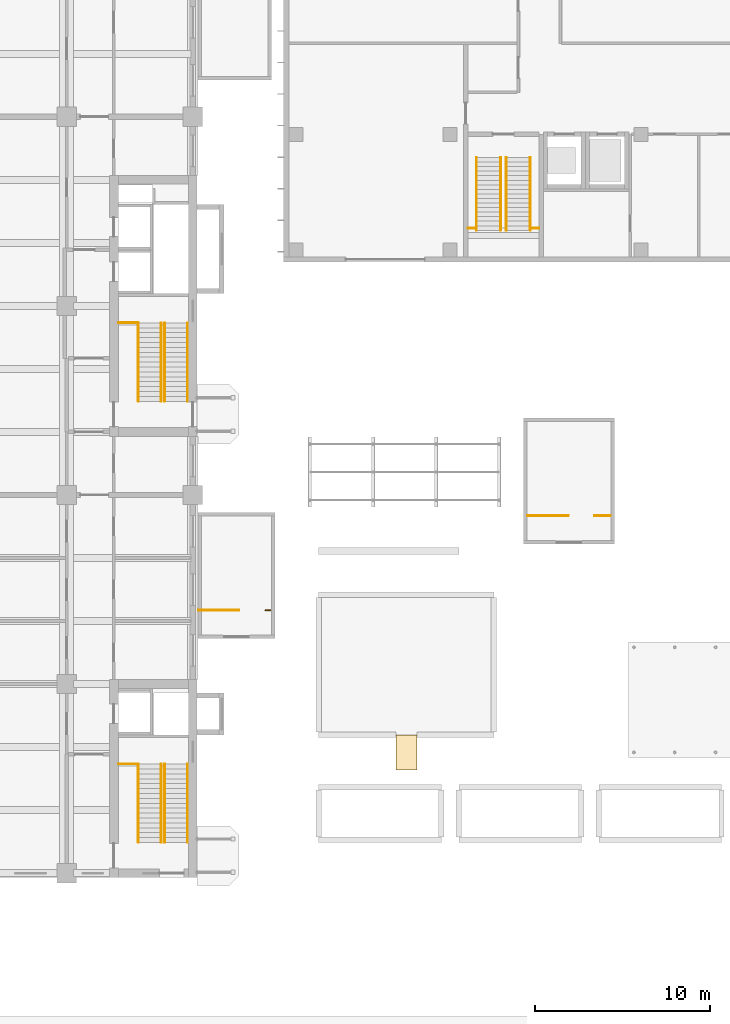
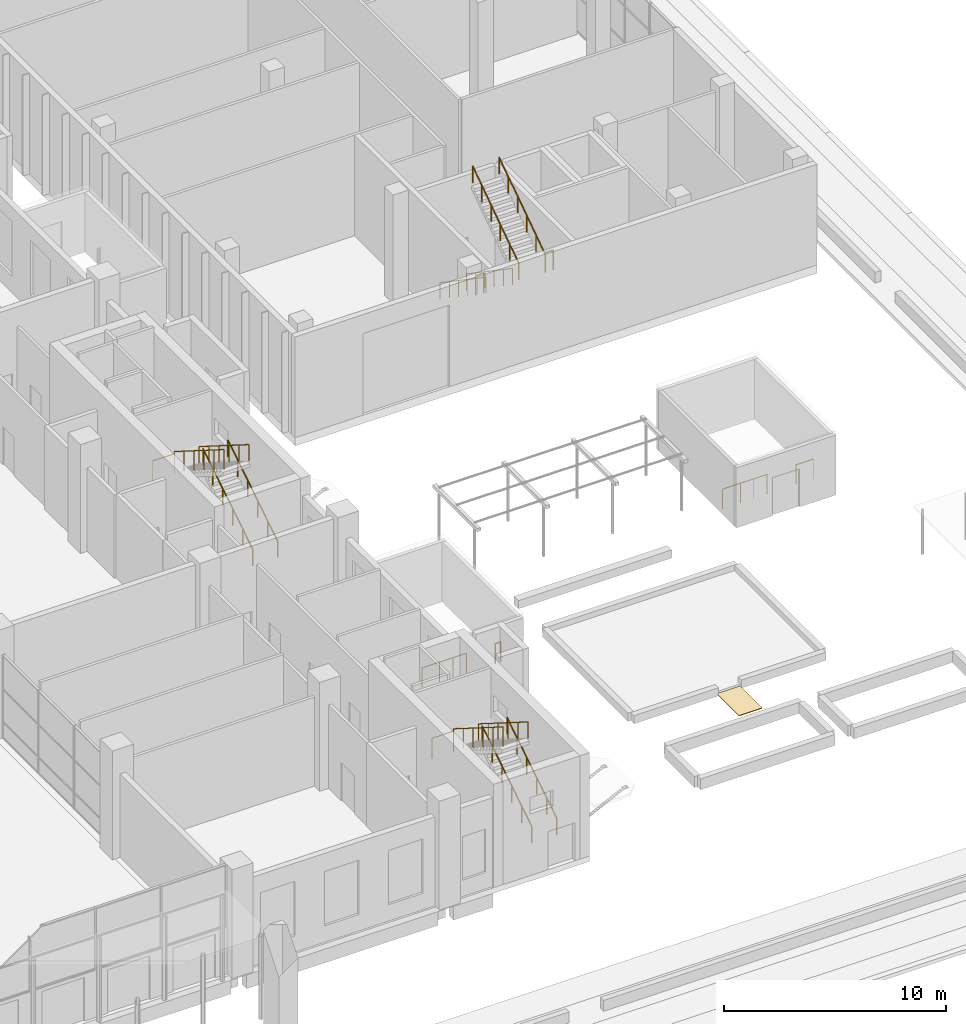
# One storey, part 67 of 71: 22 railings, 1 covering.
"""IFC4 building model written with IfcOpenShell, lengths in metres."""

from ifc_helpers import new_model, si_unit, direction, frame, origin, origin_2d, place, context, subcontext, project, spatial, polyline, circle, outline, extrude, material, layer, layer_set, type_object, element, save


model = new_model("IFC4")

# Units and contexts
model_context = context("Model", 3, precision=1e-05, world=origin(), true_north=direction((0.0, 1.0)))
body_context = subcontext(model_context, "Body", "Model", "MODEL_VIEW")
ifc_project = project(units=[si_unit("LENGTHUNIT", "METRE"), si_unit("AREAUNIT", "SQUARE_METRE"), si_unit("VOLUMEUNIT", "CUBIC_METRE"), si_unit("PLANEANGLEUNIT", "RADIAN"), si_unit("MASSUNIT", "GRAM", prefix="KILO")], contexts=[model_context])

# Site, building, storey
site_placement = place(None, origin())
site = spatial("IfcSite", under=ifc_project, at=site_placement, CompositionType="ELEMENT")
building_placement = place(site_placement, origin())
building = spatial("IfcBuilding", under=site, at=building_placement, Name="Basin Gate Institute", CompositionType="ELEMENT")
storey_placement = place(building_placement, origin())
storey = spatial("IfcBuildingStorey", under=building, at=storey_placement, Name="L00", CompositionType="ELEMENT", Elevation=0.0)

# Railings
ifc_material_1 = material(Name="Stainless steel tube and glass infill", Category="steel")
railing_type_1 = type_object("IfcRailingType", Name="Block railing 1100", PredefinedType="GUARDRAIL", material=ifc_material_1)
for number, where, name in (
    (1, (134.52490234375, 71.93505859375, 3.0), "Guard stair landing ST-C1 L00"),
    (2, (138.14990234375, 71.93505859375, 3.0), "Guard stair landing ST-C1 L00"),
):
    element("IfcRailing", number, at=place(storey_placement, frame(where)), inside=storey, type_object=railing_type_1, material=ifc_material_1, Name=name, PredefinedType="GUARDRAIL", context=body_context, shape_type="SweptSolid", body=[
        extrude(circle(Radius=0.02392578125, at=origin_2d()), frame((0.0, 0.0, 1.076171875), z_axis=(1.0, 0.0, 0.0), x_axis=(0.0, 1.0, 0.0)), (0.0, 0.0, 1.0), 0.425048828125),
        extrude(circle(Radius=0.02099609375, at=origin_2d()), origin(), (0.0, 0.0, 1.0), 1.052001953125),
        extrude(circle(Radius=0.02099609375, at=origin_2d()), frame((0.425048828125, 0.0, 0.0)), (0.0, 0.0, 1.0), 1.052001953125),
    ])
ifc_material_2 = material(Name="Stainless steel tube and glass infill", Category="steel")
railing_type_2 = type_object("IfcRailingType", Name="Block railing 920", PredefinedType="HANDRAIL", material=ifc_material_2)
for number, where, name in (
    (3, (135.010009765625, 75.97509765625, 0.176513671875), "Handrail ST-C1 flight 1"),
    (4, (136.389892578125, 75.97509765625, 0.176513671875), "Handrail ST-C1 flight 1"),
):
    element("IfcRailing", number, at=place(storey_placement, frame(where)), inside=storey, type_object=railing_type_2, material=ifc_material_2, Name=name, PredefinedType="HANDRAIL", context=body_context, shape_type="SweptSolid", body=[
        extrude(circle(Radius=0.02392578125, at=origin_2d()), frame((0.0, 0.0, 0.89599609375), z_axis=(0.0, -0.82742742542, 0.561572662851), x_axis=(1.0, 0.0, 0.0)), (0.0, 0.0, 1.0), 5.02783203125),
        extrude(circle(Radius=0.02099609375, at=origin_2d()), origin(), (0.0, 0.0, 1.0), 0.871826171875),
        extrude(circle(Radius=0.02099609375, at=origin_2d()), frame((0.0, -0.83203125, 0.564697265625)), (0.0, 0.0, 1.0), 0.871826171875),
        extrude(circle(Radius=0.02099609375, at=origin_2d()), frame((0.0, -1.6640625, 1.12939453125)), (0.0, 0.0, 1.0), 0.871826171875),
        extrude(circle(Radius=0.02099609375, at=origin_2d()), frame((0.0, -2.49609375, 1.694091796875)), (0.0, 0.0, 1.0), 0.871826171875),
        extrude(circle(Radius=0.02099609375, at=origin_2d()), frame((0.0, -3.328125, 2.2587890625)), (0.0, 0.0, 1.0), 0.871826171875),
        extrude(circle(Radius=0.02099609375, at=origin_2d()), frame((0.0, -4.16015625, 2.823486328125)), (0.0, 0.0, 1.0), 0.871826171875),
    ])
for number, where, name in (
    (5, (136.7099609375, 71.81494140625, 3.176513671875), "Handrail ST-C1 flight 2"),
    (6, (138.090087890625, 71.81494140625, 3.176513671875), "Handrail ST-C1 flight 2"),
):
    element("IfcRailing", number, at=place(storey_placement, frame(where)), inside=storey, type_object=railing_type_2, material=ifc_material_2, Name=name, PredefinedType="HANDRAIL", context=body_context, shape_type="SweptSolid", body=[
        extrude(circle(Radius=0.02392578125, at=origin_2d()), frame((0.0, 0.0, 0.89599609375), z_axis=(0.0, 0.82742742542, 0.561572662851), x_axis=(-1.0, 0.0, 0.0)), (0.0, 0.0, 1.0), 5.02783203125),
        extrude(circle(Radius=0.02099609375, at=origin_2d()), origin(), (0.0, 0.0, 1.0), 0.871826171875),
        extrude(circle(Radius=0.02099609375, at=origin_2d()), frame((0.0, 0.83203125, 0.564697265625)), (0.0, 0.0, 1.0), 0.871826171875),
        extrude(circle(Radius=0.02099609375, at=origin_2d()), frame((0.0, 1.6640625, 1.12939453125)), (0.0, 0.0, 1.0), 0.871826171875),
        extrude(circle(Radius=0.02099609375, at=origin_2d()), frame((0.0, 2.49609375, 1.694091796875)), (0.0, 0.0, 1.0), 0.871826171875),
        extrude(circle(Radius=0.02099609375, at=origin_2d()), frame((0.0, 3.328125, 2.2587890625)), (0.0, 0.0, 1.0), 0.871826171875),
        extrude(circle(Radius=0.02099609375, at=origin_2d()), frame((0.0, 4.16015625, 2.823486328125)), (0.0, 0.0, 1.0), 0.871826171875),
    ])

# Covering
ifc_material_3 = material(Name="Granite paving", Category="masonry")
ifc_layer = layer(ifc_material_3, 0.0400390625)
ifc_layer_set = layer_set([ifc_layer], Name="Overflow channel paving FB6")
covering_type = type_object("IfcCoveringType", Name="Overflow channel paving FB6", PredefinedType="FLOORING", material=ifc_layer_set)
covering_placement = place(storey_placement, origin())
element("IfcCovering", 7, at=covering_placement, inside=storey, type_object=covering_type, material=ifc_layer_set, Name="Service Court rain garden 1 overflow channel", PredefinedType="FLOORING", context=body_context, shape_type="SweptSolid", body=[
    extrude(outline(polyline([(130.39990234375, 41.0), (131.60009765625, 41.0), (131.60009765625, 43.0), (130.39990234375, 43.0), (130.39990234375, 41.0)])), origin(), (0.0, 0.0, 1.0), 0.0400390625),
])

# Railings
ifc_material_4 = material(Name="Stainless steel", Category="steel")
railing_type_3 = type_object("IfcRailingType", Name="Stair guard GR1", PredefinedType="GUARDRAIL", material=ifc_material_4)
for number, where, name in (
    (8, (115.699951171875, 41.330078125, 3.176513671875), "Stair guard GR1 ES GD1"),
    (9, (115.699951171875, 66.530029296875, 3.176513671875), "Stair guard GR1 EM GD1"),
):
    element("IfcRailing", number, at=place(storey_placement, frame(where)), inside=storey, type_object=railing_type_3, material=ifc_material_4, Name=name, PredefinedType="GUARDRAIL", context=body_context, shape_type="SweptSolid", body=[
        extrude(circle(Radius=0.02392578125, at=origin_2d()), frame((0.0, 0.0, 1.076171875), z_axis=(0.0, -0.845997938375, 0.533186166611), x_axis=(1.0, 0.0, 0.0)), (0.0, 0.0, 1.0), 5.29541015625),
        extrude(circle(Radius=0.02099609375, at=origin_2d()), origin(), (0.0, 0.0, 1.0), 1.052001953125),
        extrude(circle(Radius=0.02099609375, at=origin_2d()), frame((0.0, -0.89599609375, 0.564697265625)), (0.0, 0.0, 1.0), 1.052001953125),
        extrude(circle(Radius=0.02099609375, at=origin_2d()), frame((0.0, -1.7919921875, 1.12939453125)), (0.0, 0.0, 1.0), 1.052001953125),
        extrude(circle(Radius=0.02099609375, at=origin_2d()), frame((0.0, -2.68798828125, 1.694091796875)), (0.0, 0.0, 1.0), 1.052001953125),
        extrude(circle(Radius=0.02099609375, at=origin_2d()), frame((0.0, -3.583984375, 2.2587890625)), (0.0, 0.0, 1.0), 1.052001953125),
        extrude(circle(Radius=0.02099609375, at=origin_2d()), frame((0.0, -4.47998046875, 2.823486328125)), (0.0, 0.0, 1.0), 1.052001953125),
    ])
railing_1_placement = place(storey_placement, frame((120.050048828125, 50.1201171875, 0.0)))
element("IfcRailing", 10, at=railing_1_placement, inside=storey, type_object=railing_type_3, material=ifc_material_4, Name="Stair guard GR1 BS3 GD4-B1", PredefinedType="GUARDRAIL", context=body_context, shape_type="SweptSolid", body=[
    extrude(circle(Radius=0.02392578125, at=origin_2d()), frame((0.0, 0.0, 1.076171875), z_axis=(1.0, 0.0, 0.0), x_axis=(0.0, 1.0, 0.0)), (0.0, 0.0, 1.0), 1.39990234375),
    extrude(circle(Radius=0.02099609375, at=origin_2d()), origin(), (0.0, 0.0, 1.0), 1.052001953125),
    extrude(circle(Radius=0.02099609375, at=origin_2d()), frame((0.699951171875, 0.0, 0.0)), (0.0, 0.0, 1.0), 1.052001953125),
    extrude(circle(Radius=0.02099609375, at=origin_2d()), frame((1.39990234375, 0.0, 0.0)), (0.0, 0.0, 1.0), 1.052001953125),
])
railing_2_placement = place(storey_placement, frame((119.1298828125, 50.1201171875, 0.0)))
element("IfcRailing", 11, at=railing_2_placement, inside=storey, type_object=railing_type_3, material=ifc_material_4, Name="Stair guard GR1 BS3 GD4b-B1", PredefinedType="GUARDRAIL", context=body_context, shape_type="SweptSolid", body=[
    extrude(circle(Radius=0.02392578125, at=origin_2d()), frame((0.0, 0.0, 1.076171875), z_axis=(1.0, 0.0, 0.0), x_axis=(0.0, 1.0, 0.0)), (0.0, 0.0, 1.0), 0.920166015625),
    extrude(circle(Radius=0.02099609375, at=origin_2d()), origin(), (0.0, 0.0, 1.0), 1.052001953125),
    extrude(circle(Radius=0.02099609375, at=origin_2d()), frame((0.920166015625, 0.0, 0.0)), (0.0, 0.0, 1.0), 1.052001953125),
])
railing_3_placement = place(storey_placement, frame((122.949951171875, 50.1201171875, 0.0)))
element("IfcRailing", 12, at=railing_3_placement, inside=storey, type_object=railing_type_3, material=ifc_material_4, Name="Stair guard GR1 BS3 GD5-B1", PredefinedType="GUARDRAIL", context=body_context, shape_type="SweptSolid", body=[
    extrude(circle(Radius=0.02392578125, at=origin_2d()), frame((0.0, 0.0, 1.076171875), z_axis=(1.0, 0.0, 0.0), x_axis=(0.0, 1.0, 0.0)), (0.0, 0.0, 1.0), 0.300048828125),
    extrude(circle(Radius=0.02099609375, at=origin_2d()), origin(), (0.0, 0.0, 1.0), 1.052001953125),
    extrude(circle(Radius=0.02099609375, at=origin_2d()), frame((0.300048828125, 0.0, 0.0)), (0.0, 0.0, 1.0), 1.052001953125),
])
railing_4_placement = place(storey_placement, frame((138.85009765625, 55.52001953125, 0.0)))
element("IfcRailing", 13, at=railing_4_placement, inside=storey, type_object=railing_type_3, material=ifc_material_4, Name="Stair guard GR1 BS6 GD4-B1", PredefinedType="GUARDRAIL", context=body_context, shape_type="SweptSolid", body=[
    extrude(circle(Radius=0.02392578125, at=origin_2d()), frame((0.0, 0.0, 1.076171875), z_axis=(1.0, 0.0, 0.0), x_axis=(0.0, 1.0, 0.0)), (0.0, 0.0, 1.0), 1.39990234375),
    extrude(circle(Radius=0.02099609375, at=origin_2d()), origin(), (0.0, 0.0, 1.0), 1.052001953125),
    extrude(circle(Radius=0.02099609375, at=origin_2d()), frame((0.699951171875, 0.0, 0.0)), (0.0, 0.0, 1.0), 1.052001953125),
    extrude(circle(Radius=0.02099609375, at=origin_2d()), frame((1.39990234375, 0.0, 0.0)), (0.0, 0.0, 1.0), 1.052001953125),
])
railing_5_placement = place(storey_placement, frame((137.929931640625, 55.52001953125, 0.0)))
element("IfcRailing", 14, at=railing_5_placement, inside=storey, type_object=railing_type_3, material=ifc_material_4, Name="Stair guard GR1 BS6 GD4b-B1", PredefinedType="GUARDRAIL", context=body_context, shape_type="SweptSolid", body=[
    extrude(circle(Radius=0.02392578125, at=origin_2d()), frame((0.0, 0.0, 1.076171875), z_axis=(1.0, 0.0, 0.0), x_axis=(0.0, 1.0, 0.0)), (0.0, 0.0, 1.0), 0.920166015625),
    extrude(circle(Radius=0.02099609375, at=origin_2d()), origin(), (0.0, 0.0, 1.0), 1.052001953125),
    extrude(circle(Radius=0.02099609375, at=origin_2d()), frame((0.920166015625, 0.0, 0.0)), (0.0, 0.0, 1.0), 1.052001953125),
])
railing_6_placement = place(storey_placement, frame((141.75, 55.52001953125, 0.0)))
element("IfcRailing", 15, at=railing_6_placement, inside=storey, type_object=railing_type_3, material=ifc_material_4, Name="Stair guard GR1 BS6 GD5-B1", PredefinedType="GUARDRAIL", context=body_context, shape_type="SweptSolid", body=[
    extrude(circle(Radius=0.02392578125, at=origin_2d()), frame((0.0, 0.0, 1.076171875), z_axis=(1.0, 0.0, 0.0), x_axis=(0.0, 1.0, 0.0)), (0.0, 0.0, 1.0), 0.89990234375),
    extrude(circle(Radius=0.02099609375, at=origin_2d()), origin(), (0.0, 0.0, 1.0), 1.052001953125),
    extrude(circle(Radius=0.02099609375, at=origin_2d()), frame((0.89990234375, 0.0, 0.0)), (0.0, 0.0, 1.0), 1.052001953125),
])
ifc_material_5 = material(Name="Stainless steel", Category="steel")
railing_type_4 = type_object("IfcRailingType", Name="Stair guard GR3", PredefinedType="GUARDRAIL", material=ifc_material_5)
for number, where, name in (
    (16, (115.699951171875, 41.330078125, 3.0), "Stair guard GR3 ES GD2"),
    (17, (115.699951171875, 66.530029296875, 3.0), "Stair guard GR3 EM GD2"),
):
    element("IfcRailing", number, at=place(storey_placement, frame(where)), inside=storey, type_object=railing_type_4, material=ifc_material_5, Name=name, PredefinedType="GUARDRAIL", context=body_context, shape_type="SweptSolid", body=[
        extrude(circle(Radius=0.02392578125, at=origin_2d()), frame((0.0, 0.0, 1.1259765625), z_axis=(-1.0, 0.0, 0.0), x_axis=(0.0, -1.0, 0.0)), (0.0, 0.0, 1.0), 1.119873046875),
        extrude(circle(Radius=0.02099609375, at=origin_2d()), origin(), (0.0, 0.0, 1.0), 1.101806640625),
        extrude(circle(Radius=0.02099609375, at=origin_2d()), frame((-1.119873046875, 0.0, 0.0)), (0.0, 0.0, 1.0), 1.101806640625),
    ])
ifc_material_6 = material(Name="Stainless steel", Category="steel")
railing_type_5 = type_object("IfcRailingType", Name="Stair handrail HR1", PredefinedType="HANDRAIL", material=ifc_material_6)
for number, where, name in (
    (18, (118.5, 36.85009765625, 0.176513671875), "Stair handrail HR1 ES HR1"),
    (19, (117.199951171875, 36.85009765625, 0.176513671875), "Stair handrail HR1 ES HR2"),
):
    element("IfcRailing", number, at=place(storey_placement, frame(where)), inside=storey, type_object=railing_type_5, material=ifc_material_6, Name=name, PredefinedType="HANDRAIL", context=body_context, shape_type="SweptSolid", body=[
        extrude(circle(Radius=0.02392578125, at=origin_2d()), frame((0.0, 0.0, 0.89599609375), z_axis=(0.0, 0.845997938375, 0.533186166611), x_axis=(-1.0, 0.0, 0.0)), (0.0, 0.0, 1.0), 5.29541015625),
        extrude(circle(Radius=0.02099609375, at=origin_2d()), origin(), (0.0, 0.0, 1.0), 0.871826171875),
        extrude(circle(Radius=0.02099609375, at=origin_2d()), frame((0.0, 0.89599609375, 0.564697265625)), (0.0, 0.0, 1.0), 0.871826171875),
        extrude(circle(Radius=0.02099609375, at=origin_2d()), frame((0.0, 1.7919921875, 1.12939453125)), (0.0, 0.0, 1.0), 0.871826171875),
        extrude(circle(Radius=0.02099609375, at=origin_2d()), frame((0.0, 2.68798828125, 1.694091796875)), (0.0, 0.0, 1.0), 0.871826171875),
        extrude(circle(Radius=0.02099609375, at=origin_2d()), frame((0.0, 3.583984375, 2.2587890625)), (0.0, 0.0, 1.0), 0.871826171875),
        extrude(circle(Radius=0.02099609375, at=origin_2d()), frame((0.0, 4.47998046875, 2.823486328125)), (0.0, 0.0, 1.0), 0.871826171875),
    ])
railing_7_placement = place(storey_placement, frame((117.0, 41.330078125, 3.176513671875)))
element("IfcRailing", 20, at=railing_7_placement, inside=storey, type_object=railing_type_5, material=ifc_material_6, Name="Stair handrail HR1 ES HR3", PredefinedType="HANDRAIL", context=body_context, shape_type="SweptSolid", body=[
    extrude(circle(Radius=0.02392578125, at=origin_2d()), frame((0.0, 0.0, 0.89599609375), z_axis=(0.0, -0.845997938375, 0.533186166611), x_axis=(1.0, 0.0, 0.0)), (0.0, 0.0, 1.0), 5.29541015625),
    extrude(circle(Radius=0.02099609375, at=origin_2d()), origin(), (0.0, 0.0, 1.0), 0.871826171875),
    extrude(circle(Radius=0.02099609375, at=origin_2d()), frame((0.0, -0.89599609375, 0.564697265625)), (0.0, 0.0, 1.0), 0.871826171875),
    extrude(circle(Radius=0.02099609375, at=origin_2d()), frame((0.0, -1.7919921875, 1.12939453125)), (0.0, 0.0, 1.0), 0.871826171875),
    extrude(circle(Radius=0.02099609375, at=origin_2d()), frame((0.0, -2.68798828125, 1.694091796875)), (0.0, 0.0, 1.0), 0.871826171875),
    extrude(circle(Radius=0.02099609375, at=origin_2d()), frame((0.0, -3.583984375, 2.2587890625)), (0.0, 0.0, 1.0), 0.871826171875),
    extrude(circle(Radius=0.02099609375, at=origin_2d()), frame((0.0, -4.47998046875, 2.823486328125)), (0.0, 0.0, 1.0), 0.871826171875),
])
for number, where, name in (
    (21, (118.5, 62.050048828125, 0.176513671875), "Stair handrail HR1 EM HR1"),
    (22, (117.199951171875, 62.050048828125, 0.176513671875), "Stair handrail HR1 EM HR2"),
):
    element("IfcRailing", number, at=place(storey_placement, frame(where)), inside=storey, type_object=railing_type_5, material=ifc_material_6, Name=name, PredefinedType="HANDRAIL", context=body_context, shape_type="SweptSolid", body=[
        extrude(circle(Radius=0.02392578125, at=origin_2d()), frame((0.0, 0.0, 0.89599609375), z_axis=(0.0, 0.845997938375, 0.533186166611), x_axis=(-1.0, 0.0, 0.0)), (0.0, 0.0, 1.0), 5.29541015625),
        extrude(circle(Radius=0.02099609375, at=origin_2d()), origin(), (0.0, 0.0, 1.0), 0.871826171875),
        extrude(circle(Radius=0.02099609375, at=origin_2d()), frame((0.0, 0.89599609375, 0.564697265625)), (0.0, 0.0, 1.0), 0.871826171875),
        extrude(circle(Radius=0.02099609375, at=origin_2d()), frame((0.0, 1.7919921875, 1.12939453125)), (0.0, 0.0, 1.0), 0.871826171875),
        extrude(circle(Radius=0.02099609375, at=origin_2d()), frame((0.0, 2.68798828125, 1.694091796875)), (0.0, 0.0, 1.0), 0.871826171875),
        extrude(circle(Radius=0.02099609375, at=origin_2d()), frame((0.0, 3.583984375, 2.2587890625)), (0.0, 0.0, 1.0), 0.871826171875),
        extrude(circle(Radius=0.02099609375, at=origin_2d()), frame((0.0, 4.47998046875, 2.823486328125)), (0.0, 0.0, 1.0), 0.871826171875),
    ])
railing_8_placement = place(storey_placement, frame((117.0, 66.530029296875, 3.176513671875)))
element("IfcRailing", 23, at=railing_8_placement, inside=storey, type_object=railing_type_5, material=ifc_material_6, Name="Stair handrail HR1 EM HR3", PredefinedType="HANDRAIL", context=body_context, shape_type="SweptSolid", body=[
    extrude(circle(Radius=0.02392578125, at=origin_2d()), frame((0.0, 0.0, 0.89599609375), z_axis=(0.0, -0.845997938375, 0.533186166611), x_axis=(1.0, 0.0, 0.0)), (0.0, 0.0, 1.0), 5.29541015625),
    extrude(circle(Radius=0.02099609375, at=origin_2d()), origin(), (0.0, 0.0, 1.0), 0.871826171875),
    extrude(circle(Radius=0.02099609375, at=origin_2d()), frame((0.0, -0.89599609375, 0.564697265625)), (0.0, 0.0, 1.0), 0.871826171875),
    extrude(circle(Radius=0.02099609375, at=origin_2d()), frame((0.0, -1.7919921875, 1.12939453125)), (0.0, 0.0, 1.0), 0.871826171875),
    extrude(circle(Radius=0.02099609375, at=origin_2d()), frame((0.0, -2.68798828125, 1.694091796875)), (0.0, 0.0, 1.0), 0.871826171875),
    extrude(circle(Radius=0.02099609375, at=origin_2d()), frame((0.0, -3.583984375, 2.2587890625)), (0.0, 0.0, 1.0), 0.871826171875),
    extrude(circle(Radius=0.02099609375, at=origin_2d()), frame((0.0, -4.47998046875, 2.823486328125)), (0.0, 0.0, 1.0), 0.871826171875),
])

save(model, "model.ifc")
